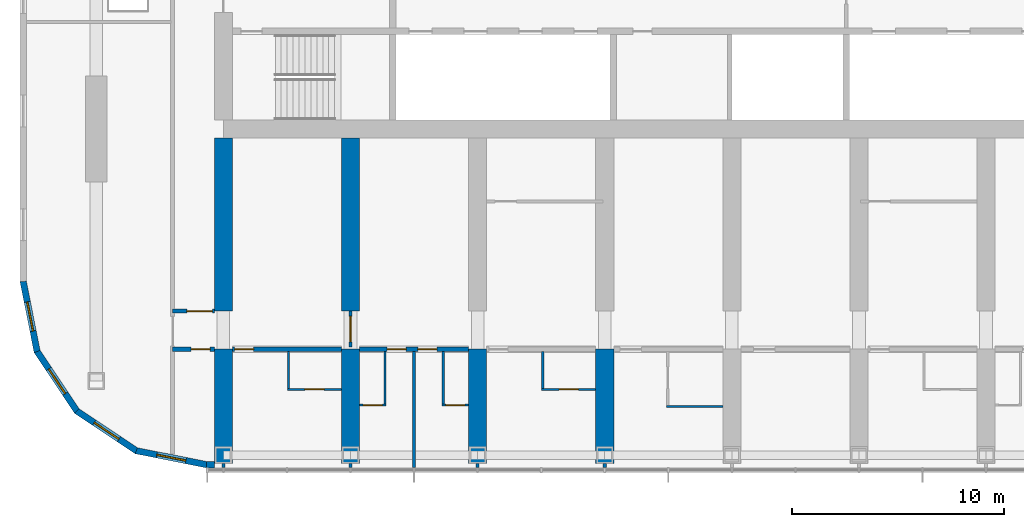
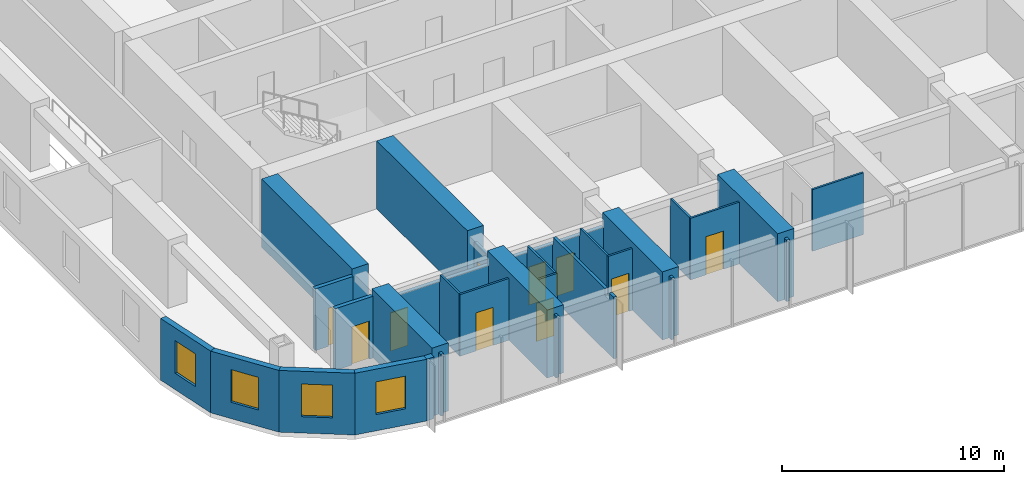
# One storey, part 10 of 22: 30 walls, 10 doors, 4 windows, 14 openings.
"""IFC4 building model written with IfcOpenShell, lengths in metres."""

from ifc_helpers import new_model, si_unit, direction, frame, frame_2d, origin, place, context, subcontext, project, spatial, polyline, rectangle, outline, extrude, material, layer, layer_set, type_object, element, fill, save


model = new_model("IFC4")

# Units and contexts
model_context = context("Model", 3, precision=1e-05, world=origin(), true_north=direction((0.0, 1.0)))
body_context = subcontext(model_context, "Body", "Model", "MODEL_VIEW")
ifc_project = project(units=[si_unit("LENGTHUNIT", "METRE"), si_unit("AREAUNIT", "SQUARE_METRE"), si_unit("VOLUMEUNIT", "CUBIC_METRE"), si_unit("PLANEANGLEUNIT", "RADIAN"), si_unit("MASSUNIT", "GRAM", prefix="KILO")], contexts=[model_context])

# Site, building, storey
site_placement = place(None, origin())
site = spatial("IfcSite", under=ifc_project, at=site_placement, CompositionType="ELEMENT")
building_placement = place(site_placement, origin())
building = spatial("IfcBuilding", under=site, at=building_placement, Name="Orbita Commons", CompositionType="ELEMENT")
storey_placement = place(building_placement, frame((0.0, 0.0, 197.35009765625)))
storey = spatial("IfcBuildingStorey", under=building, at=storey_placement, Name="L49", CompositionType="ELEMENT", Elevation=197.35009765625)

# Wall, opening, door
ifc_material_1 = material(Name="Concrete blockwork", Category="masonry")
ifc_layer_1 = layer(ifc_material_1, 0.199951171875)
ifc_layer_set_1 = layer_set([ifc_layer_1], Name="Concrete blockwork")
wall_type_1 = type_object("IfcWallType", Name="Corridor wall 200 blockwork", PredefinedType="SOLIDWALL", material=ifc_layer_set_1)
wall_1_placement = place(storey_placement, frame((15.60009765625, 15.39990234375, 0.0), z_axis=(0.0, 0.0, 1.0), x_axis=(1.0, 0.0, 0.0)))
wall_1 = element("IfcWall", 1, at=wall_1_placement, inside=storey, type_object=wall_type_1, Name="Corridor wall 200 blockwork L49", PredefinedType="SOLIDWALL", context=body_context, shape_type="SweptSolid", body=[
    extrude(rectangle(XDim=1.974853515625, YDim=0.199951171875, at=frame_2d((0.9873046875, 0.0))), origin(), (0.0, 0.0, 1.0), 3.39990234375),
])
opening_1_placement = place(wall_1_placement, frame((0.875, 0.0, 0.0)))
opening_1 = element("IfcOpeningElement", 2, at=opening_1_placement, cuts=wall_1, Name="Opening D05", PredefinedType="OPENING", context=body_context, shape_type="SweptSolid", body=[
    extrude(rectangle(XDim=0.89990234375, YDim=2.10009765625, at=frame_2d((0.449951171875, 1.050048828125))), frame((0.0, 0.10986328125, 0.0), z_axis=(0.0, -1.0, 0.0), x_axis=(1.0, 0.0, 0.0)), (0.0, 0.0, 1.0), 0.219970703125),
])
ifc_material_2 = material(Name="Steel-faced fire door leaf", Category="steel")
door_type_1 = type_object("IfcDoorType", Name="Service door 20 min 900x2100", OperationType="SINGLE_SWING_LEFT", PredefinedType="DOOR", material=ifc_material_2)
door_1_placement = place(opening_1_placement, origin())
door_1 = element("IfcDoor", 3, at=door_1_placement, inside=storey, type_object=door_type_1, Name="Linen store L49-KWS door", OperationType="SINGLE_SWING_LEFT", OverallHeight=2.10009765625, OverallWidth=0.89990234375, PredefinedType="DOOR", context=body_context, shape_type="SweptSolid", body=[
    extrude(rectangle(XDim=0.89990234375, YDim=2.10009765625, at=frame_2d((0.449951171875, 1.050048828125))), frame((0.0, 0.02490234375, 0.0), z_axis=(0.0, -1.0, 0.0), x_axis=(1.0, 0.0, 0.0)), (0.0, 0.0, 1.0), 0.050048828125),
])
fill(opening_1, door_1)

wall_2_placement = place(storey_placement, frame((18.425048828125, 15.39990234375, 0.0), z_axis=(0.0, 0.0, 1.0), x_axis=(1.0, 0.0, 0.0)))
wall_2 = element("IfcWall", 4, at=wall_2_placement, inside=storey, type_object=wall_type_1, Name="Corridor wall 200 blockwork L49", PredefinedType="SOLIDWALL", context=body_context, shape_type="SweptSolid", body=[
    extrude(outline(polyline([(0.0, 0.0), (5.14990234375, 0.0), (5.14990234375, 3.0), (0.0, 3.0), (0.0, 0.0)])), frame((0.0, 0.10009765625, 0.0), z_axis=(0.0, -1.0, 0.0), x_axis=(1.0, 0.0, 0.0)), (0.0, 0.0, 1.0), 0.199951171875),
])
opening_2_placement = place(wall_2_placement, frame((0.10009765625, 0.0, 0.0)))
opening_2 = element("IfcOpeningElement", 5, at=opening_2_placement, cuts=wall_2, Name="Opening D11", PredefinedType="OPENING", context=body_context, shape_type="SweptSolid", body=[
    extrude(rectangle(XDim=0.89990234375, YDim=2.10009765625, at=frame_2d((0.449951171875, 1.050048828125))), frame((0.0, 0.10986328125, 0.0), z_axis=(0.0, -1.0, 0.0), x_axis=(1.0, 0.0, 0.0)), (0.0, 0.0, 1.0), 0.219970703125),
])
ifc_material_3 = material(Name="Steel-faced fire door leaf", Category="steel")
door_type_2 = type_object("IfcDoorType", Name="Corridor door 20 min 900x2100", OperationType="SINGLE_SWING_LEFT", PredefinedType="DOOR", material=ifc_material_3)
door_2_placement = place(opening_2_placement, origin())
door_2 = element("IfcDoor", 6, at=door_2_placement, inside=storey, type_object=door_type_2, Name="Twin room L49-S00 door", OperationType="SINGLE_SWING_LEFT", OverallHeight=2.10009765625, OverallWidth=0.89990234375, PredefinedType="DOOR", context=body_context, shape_type="SweptSolid", body=[
    extrude(rectangle(XDim=0.89990234375, YDim=2.10009765625, at=frame_2d((0.449951171875, 1.050048828125))), frame((0.0, 0.02490234375, 0.0), z_axis=(0.0, -1.0, 0.0), x_axis=(1.0, 0.0, 0.0)), (0.0, 0.0, 1.0), 0.050048828125),
])
fill(opening_2, door_2)

# Wall, openings, doors
wall_3_placement = place(storey_placement, frame((24.425048828125, 15.39990234375, 0.0), z_axis=(0.0, 0.0, 1.0), x_axis=(1.0, 0.0, 0.0)))
wall_3 = element("IfcWall", 7, at=wall_3_placement, inside=storey, type_object=wall_type_1, Name="Corridor wall 200 blockwork L49", PredefinedType="SOLIDWALL", context=body_context, shape_type="SweptSolid", body=[
    extrude(outline(polyline([(0.0, 0.0), (5.14990234375, 0.0), (5.14990234375, 3.0), (0.0, 3.0), (0.0, 0.0)])), frame((0.0, 0.10009765625, 0.0), z_axis=(0.0, -1.0, 0.0), x_axis=(1.0, 0.0, 0.0)), (0.0, 0.0, 1.0), 0.199951171875),
])
opening_3_placement = place(wall_3_placement, frame((1.300048828125, 0.0, 0.0)))
opening_3 = element("IfcOpeningElement", 8, at=opening_3_placement, cuts=wall_3, Name="Opening D11", PredefinedType="OPENING", context=body_context, shape_type="SweptSolid", body=[
    extrude(rectangle(XDim=0.89990234375, YDim=2.10009765625, at=frame_2d((0.449951171875, 1.050048828125))), frame((0.0, 0.10986328125, 0.0), z_axis=(0.0, -1.0, 0.0), x_axis=(1.0, 0.0, 0.0)), (0.0, 0.0, 1.0), 0.219970703125),
])
opening_4_placement = place(wall_3_placement, frame((2.75, 0.0, 0.0)))
opening_4 = element("IfcOpeningElement", 9, at=opening_4_placement, cuts=wall_3, Name="Opening D11", PredefinedType="OPENING", context=body_context, shape_type="SweptSolid", body=[
    extrude(rectangle(XDim=0.89990234375, YDim=2.10009765625, at=frame_2d((0.449951171875, 1.050048828125))), frame((0.0, 0.10986328125, 0.0), z_axis=(0.0, -1.0, 0.0), x_axis=(1.0, 0.0, 0.0)), (0.0, 0.0, 1.0), 0.219970703125),
])
door_3_placement = place(opening_3_placement, origin())
door_3 = element("IfcDoor", 10, at=door_3_placement, inside=storey, type_object=door_type_2, Name="Cluster bedroom L49-S02 door", OperationType="SINGLE_SWING_LEFT", OverallHeight=2.10009765625, OverallWidth=0.89990234375, PredefinedType="DOOR", context=body_context, shape_type="SweptSolid", body=[
    extrude(rectangle(XDim=0.89990234375, YDim=2.10009765625, at=frame_2d((0.449951171875, 1.050048828125))), frame((0.0, 0.02490234375, 0.0), z_axis=(0.0, -1.0, 0.0), x_axis=(1.0, 0.0, 0.0)), (0.0, 0.0, 1.0), 0.050048828125),
])
fill(opening_3, door_3)
door_4_placement = place(opening_4_placement, origin())
door_4 = element("IfcDoor", 11, at=door_4_placement, inside=storey, type_object=door_type_2, Name="Cluster bedroom L49-S03 door", OperationType="SINGLE_SWING_LEFT", OverallHeight=2.10009765625, OverallWidth=0.89990234375, PredefinedType="DOOR", context=body_context, shape_type="SweptSolid", body=[
    extrude(rectangle(XDim=0.89990234375, YDim=2.10009765625, at=frame_2d((0.449951171875, 1.050048828125))), frame((0.0, 0.02490234375, 0.0), z_axis=(0.0, -1.0, 0.0), x_axis=(1.0, 0.0, 0.0)), (0.0, 0.0, 1.0), 0.050048828125),
])
fill(opening_4, door_4)

# Wall, opening, door
ifc_material_4 = material(Name="Hollow concrete block 200", Category="concrete")
ifc_layer_2 = layer(ifc_material_4, 0.199951171875)
ifc_layer_set_2 = layer_set([ifc_layer_2], Name="Hollow concrete block 200")
wall_type_2 = type_object("IfcWallType", Name="Corridor wall 200 hollow concrete block", PredefinedType="SOLIDWALL", material=ifc_layer_set_2)
wall_4_placement = place(storey_placement, frame((15.60009765625, 17.199951171875, 0.0), z_axis=(0.0, 0.0, 1.0), x_axis=(1.0, 0.0, 0.0)))
wall_4 = element("IfcWall", 12, at=wall_4_placement, inside=storey, type_object=wall_type_2, Name="Corridor wall 200 hollow concrete block L49", PredefinedType="SOLIDWALL", context=body_context, shape_type="SweptSolid", body=[
    extrude(rectangle(XDim=1.974853515625, YDim=0.199951171875, at=frame_2d((0.9873046875, 0.0))), origin(), (0.0, 0.0, 1.0), 3.39990234375),
])
opening_5_placement = place(wall_4_placement, frame((0.675048828125, 0.0, 0.0)))
opening_5 = element("IfcOpeningElement", 13, at=opening_5_placement, cuts=wall_4, Name="Opening D12", PredefinedType="OPENING", context=body_context, shape_type="SweptSolid", body=[
    extrude(rectangle(XDim=1.199951171875, YDim=2.10009765625, at=frame_2d((0.60009765625, 1.050048828125))), frame((0.0, 0.10986328125, 0.0), z_axis=(0.0, -1.0, 0.0), x_axis=(1.0, 0.0, 0.0)), (0.0, 0.0, 1.0), 0.219970703125),
])
ifc_material_5 = material(Name="Steel-faced fire door leaf", Category="steel")
door_type_3 = type_object("IfcDoorType", Name="Double corridor door 20 min 1200x2100", OperationType="DOUBLE_DOOR_SINGLE_SWING", PredefinedType="DOOR", material=ifc_material_5)
door_5_placement = place(opening_5_placement, origin())
door_5 = element("IfcDoor", 14, at=door_5_placement, inside=storey, type_object=door_type_3, Name="Cross corridor doors", OperationType="DOUBLE_DOOR_SINGLE_SWING", OverallHeight=2.10009765625, OverallWidth=1.199951171875, PredefinedType="DOOR", context=body_context, shape_type="SweptSolid", body=[
    extrude(rectangle(XDim=1.199951171875, YDim=2.10009765625, at=frame_2d((0.60009765625, 1.050048828125))), frame((0.0, 0.02490234375, 0.0), z_axis=(0.0, -1.0, 0.0), x_axis=(1.0, 0.0, 0.0)), (0.0, 0.0, 1.0), 0.050048828125),
])
fill(opening_5, door_5)

# Walls
ifc_material_6 = material(Name="Concrete C50/60", Category="concrete")
ifc_layer_3 = layer(ifc_material_6, 0.85009765625)
ifc_layer_set_3 = layer_set([ifc_layer_3], Name="Concrete C50/60")
wall_type_3 = type_object("IfcWallType", Name="Cross wall 850 C50/60", PredefinedType="SHEAR", material=ifc_layer_set_3)
wall_5_placement = place(storey_placement, frame((18.0, 10.0, 0.0), z_axis=(0.0, 0.0, 1.0), x_axis=(0.0, 1.0, 0.0)))
element("IfcWall", 15, at=wall_5_placement, inside=storey, type_object=wall_type_3, Name="Cross wall 4 south outer L49", PredefinedType="SHEAR", context=body_context, shape_type="SweptSolid", body=[
    extrude(rectangle(XDim=5.39990234375, YDim=0.85009765625, at=frame_2d((2.699951171875, 0.0))), origin(), (0.0, 0.0, 1.0), 3.75),
])
wall_6_placement = place(storey_placement, frame((18.0, 17.199951171875, 0.0), z_axis=(0.0, 0.0, 1.0), x_axis=(0.0, 1.0, 0.0)))
element("IfcWall", 16, at=wall_6_placement, inside=storey, type_object=wall_type_3, Name="Cross wall 4 south inner L49", PredefinedType="SHEAR", context=body_context, shape_type="SweptSolid", body=[
    extrude(rectangle(XDim=8.175048828125, YDim=0.85009765625, at=frame_2d((4.08740234375, 0.0))), origin(), (0.0, 0.0, 1.0), 3.75),
])
wall_7_placement = place(storey_placement, frame((24.0, 10.0, 0.0), z_axis=(0.0, 0.0, 1.0), x_axis=(0.0, 1.0, 0.0)))
element("IfcWall", 17, at=wall_7_placement, inside=storey, type_object=wall_type_3, Name="Cross wall 5 south outer L49", PredefinedType="SHEAR", context=body_context, shape_type="SweptSolid", body=[
    extrude(rectangle(XDim=5.39990234375, YDim=0.85009765625, at=frame_2d((2.699951171875, 0.0))), origin(), (0.0, 0.0, 1.0), 3.75),
])
wall_8_placement = place(storey_placement, frame((24.0, 17.199951171875, 0.0), z_axis=(0.0, 0.0, 1.0), x_axis=(0.0, 1.0, 0.0)))
element("IfcWall", 18, at=wall_8_placement, inside=storey, type_object=wall_type_3, Name="Cross wall 5 south inner L49", PredefinedType="SHEAR", context=body_context, shape_type="SweptSolid", body=[
    extrude(rectangle(XDim=8.175048828125, YDim=0.85009765625, at=frame_2d((4.08740234375, 0.0))), origin(), (0.0, 0.0, 1.0), 3.75),
])
for number, where, z_axis, x_axis, name in (
    (19, (30.0, 10.0, 0.0), (0.0, 0.0, 1.0), (0.0, 1.0, 0.0), "Cross wall 6 south outer L49"),
    (20, (36.0, 10.0, 0.0), (0.0, 0.0, 1.0), (0.0, 1.0, 0.0), "Cross wall 7 south outer L49"),
):
    element("IfcWall", number, at=place(storey_placement, frame(where, z_axis=z_axis, x_axis=x_axis)), inside=storey, type_object=wall_type_3, Name=name, PredefinedType="SHEAR", context=body_context, shape_type="SweptSolid", body=[
        extrude(rectangle(XDim=5.39990234375, YDim=0.85009765625, at=frame_2d((2.699951171875, 0.0))), origin(), (0.0, 0.0, 1.0), 3.75),
    ])

# Wall, opening, door
ifc_material_7 = material(Name="Moisture-resistant plasterboard on steel studs", Category="steel")
ifc_layer_4 = layer(ifc_material_7, 0.10009765625)
ifc_layer_set_4 = layer_set([ifc_layer_4], Name="Moisture-resistant plasterboard on steel studs")
wall_type_4 = type_object("IfcWallType", Name="En-suite partition 100", PredefinedType="PARTITIONING", material=ifc_layer_set_4)
wall_9_placement = place(storey_placement, frame((23.574951171875, 13.5, 0.0), z_axis=(0.0, 0.0, 1.0), x_axis=(-1.0, 0.0, 0.0)))
wall_9 = element("IfcWall", 21, at=wall_9_placement, inside=storey, type_object=wall_type_4, Name="En-suite partition 100 L49", PredefinedType="PARTITIONING", context=body_context, shape_type="SweptSolid", body=[
    extrude(rectangle(XDim=2.550048828125, YDim=0.10009765625, at=frame_2d((1.27490234375, 0.0))), origin(), (0.0, 0.0, 1.0), 3.39990234375),
])
opening_6_placement = place(wall_9_placement, frame((0.824951171875, 0.0, 0.0)))
opening_6 = element("IfcOpeningElement", 22, at=opening_6_placement, cuts=wall_9, Name="Opening D09", PredefinedType="OPENING", context=body_context, shape_type="SweptSolid", body=[
    extrude(rectangle(XDim=0.89990234375, YDim=2.10009765625, at=frame_2d((0.449951171875, 1.050048828125))), frame((0.0, 0.06005859375, 0.0), z_axis=(0.0, -1.0, 0.0), x_axis=(1.0, 0.0, 0.0)), (0.0, 0.0, 1.0), 0.1201171875),
])
ifc_material_8 = material(Name="Laminated timber door leaf", Category="wood")
door_type_4 = type_object("IfcDoorType", Name="En-suite door 900x2100", OperationType="SINGLE_SWING_RIGHT", PredefinedType="DOOR", material=ifc_material_8)
door_6_placement = place(opening_6_placement, origin())
door_6 = element("IfcDoor", 23, at=door_6_placement, inside=storey, type_object=door_type_4, Name="En-suite L49-S00 door", OperationType="SINGLE_SWING_RIGHT", OverallHeight=2.10009765625, OverallWidth=0.89990234375, PredefinedType="DOOR", context=body_context, shape_type="SweptSolid", body=[
    extrude(rectangle(XDim=0.89990234375, YDim=2.10009765625, at=frame_2d((0.449951171875, 1.050048828125))), frame((0.0, 0.02490234375, 0.0), z_axis=(0.0, -1.0, 0.0), x_axis=(1.0, 0.0, 0.0)), (0.0, 0.0, 1.0), 0.050048828125),
])
fill(opening_6, door_6)

# Wall
wall_10_placement = place(storey_placement, frame((21.074951171875, 13.550048828125, 0.0), z_axis=(0.0, 0.0, 1.0), x_axis=(0.0, 1.0, 0.0)))
element("IfcWall", 24, at=wall_10_placement, inside=storey, type_object=wall_type_4, Name="En-suite partition 100 L49", PredefinedType="PARTITIONING", context=body_context, shape_type="SweptSolid", body=[
    extrude(outline(polyline([(0.0, 0.0), (1.75, 0.0), (1.75, 3.0), (1.701904296875, 3.0), (1.699951171875, 3.39990234375), (0.0, 3.39990234375), (0.0, 0.0)])), frame((0.0, 0.050048828125, 0.0), z_axis=(0.0, -1.0, 0.0), x_axis=(1.0, 0.0, 0.0)), (0.0, 0.0, 1.0), 0.10009765625),
])

# Wall, opening, door
wall_11_placement = place(storey_placement, frame((25.675048828125, 12.75830078125, 0.0), z_axis=(0.0, 0.0, 1.0), x_axis=(-1.0, 0.0, 0.0)))
wall_11 = element("IfcWall", 25, at=wall_11_placement, inside=storey, type_object=wall_type_4, Name="En-suite partition 100 L49", PredefinedType="PARTITIONING", context=body_context, shape_type="SweptSolid", body=[
    extrude(rectangle(XDim=1.25, YDim=0.10009765625, at=frame_2d((0.625, 0.0))), origin(), (0.0, 0.0, 1.0), 3.39990234375),
])
opening_7_placement = place(wall_11_placement, frame((0.175048828125, 0.0, 0.0)))
opening_7 = element("IfcOpeningElement", 26, at=opening_7_placement, cuts=wall_11, Name="Opening D09", PredefinedType="OPENING", context=body_context, shape_type="SweptSolid", body=[
    extrude(rectangle(XDim=0.89990234375, YDim=2.10009765625, at=frame_2d((0.449951171875, 1.050048828125))), frame((0.0, 0.06005859375, 0.0), z_axis=(0.0, -1.0, 0.0), x_axis=(1.0, 0.0, 0.0)), (0.0, 0.0, 1.0), 0.1201171875),
])
door_7_placement = place(opening_7_placement, origin())
door_7 = element("IfcDoor", 27, at=door_7_placement, inside=storey, type_object=door_type_4, Name="En-suite L49-S02 door", OperationType="SINGLE_SWING_RIGHT", OverallHeight=2.10009765625, OverallWidth=0.89990234375, PredefinedType="DOOR", context=body_context, shape_type="SweptSolid", body=[
    extrude(rectangle(XDim=0.89990234375, YDim=2.10009765625, at=frame_2d((0.449951171875, 1.050048828125))), frame((0.0, 0.02490234375, 0.0), z_axis=(0.0, -1.0, 0.0), x_axis=(1.0, 0.0, 0.0)), (0.0, 0.0, 1.0), 0.050048828125),
])
fill(opening_7, door_7)

# Wall
wall_12_placement = place(storey_placement, frame((25.625, 12.808349609375, 0.0), z_axis=(0.0, 0.0, 1.0), x_axis=(0.0, 1.0, 0.0)))
element("IfcWall", 28, at=wall_12_placement, inside=storey, type_object=wall_type_4, Name="En-suite partition 100 L49", PredefinedType="PARTITIONING", context=body_context, shape_type="SweptSolid", body=[
    extrude(outline(polyline([(0.0, 0.0), (2.49169921875, 0.0), (2.49169921875, 3.0), (2.443603515625, 3.0), (2.441650390625, 3.39990234375), (0.0, 3.39990234375), (0.0, 0.0)])), frame((0.0, 0.050048828125, 0.0), z_axis=(0.0, -1.0, 0.0), x_axis=(1.0, 0.0, 0.0)), (0.0, 0.0, 1.0), 0.10009765625),
])

# Wall, opening, door
wall_13_placement = place(storey_placement, frame((29.574951171875, 12.75830078125, 0.0), z_axis=(0.0, 0.0, 1.0), x_axis=(-1.0, 0.0, 0.0)))
wall_13 = element("IfcWall", 29, at=wall_13_placement, inside=storey, type_object=wall_type_4, Name="En-suite partition 100 L49", PredefinedType="PARTITIONING", context=body_context, shape_type="SweptSolid", body=[
    extrude(rectangle(XDim=1.25, YDim=0.10009765625, at=frame_2d((0.625, 0.0))), origin(), (0.0, 0.0, 1.0), 3.39990234375),
])
opening_8_placement = place(wall_13_placement, frame((0.175048828125, 0.0, 0.0)))
opening_8 = element("IfcOpeningElement", 30, at=opening_8_placement, cuts=wall_13, Name="Opening D09", PredefinedType="OPENING", context=body_context, shape_type="SweptSolid", body=[
    extrude(rectangle(XDim=0.89990234375, YDim=2.10009765625, at=frame_2d((0.449951171875, 1.050048828125))), frame((0.0, 0.06005859375, 0.0), z_axis=(0.0, -1.0, 0.0), x_axis=(1.0, 0.0, 0.0)), (0.0, 0.0, 1.0), 0.1201171875),
])
door_8_placement = place(opening_8_placement, origin())
door_8 = element("IfcDoor", 31, at=door_8_placement, inside=storey, type_object=door_type_4, Name="En-suite L49-S03 door", OperationType="SINGLE_SWING_RIGHT", OverallHeight=2.10009765625, OverallWidth=0.89990234375, PredefinedType="DOOR", context=body_context, shape_type="SweptSolid", body=[
    extrude(rectangle(XDim=0.89990234375, YDim=2.10009765625, at=frame_2d((0.449951171875, 1.050048828125))), frame((0.0, 0.02490234375, 0.0), z_axis=(0.0, -1.0, 0.0), x_axis=(1.0, 0.0, 0.0)), (0.0, 0.0, 1.0), 0.050048828125),
])
fill(opening_8, door_8)

# Wall
wall_14_placement = place(storey_placement, frame((28.375, 12.808349609375, 0.0), z_axis=(0.0, 0.0, 1.0), x_axis=(0.0, 1.0, 0.0)))
element("IfcWall", 32, at=wall_14_placement, inside=storey, type_object=wall_type_4, Name="En-suite partition 100 L49", PredefinedType="PARTITIONING", context=body_context, shape_type="SweptSolid", body=[
    extrude(outline(polyline([(0.0, 0.0), (2.49169921875, 0.0), (2.49169921875, 3.0), (2.443603515625, 3.0), (2.441650390625, 3.39990234375), (0.0, 3.39990234375), (0.0, 0.0)])), frame((0.0, 0.050048828125, 0.0), z_axis=(0.0, -1.0, 0.0), x_axis=(1.0, 0.0, 0.0)), (0.0, 0.0, 1.0), 0.10009765625),
])

# Wall, opening, door
wall_15_placement = place(storey_placement, frame((35.574951171875, 13.5, 0.0), z_axis=(0.0, 0.0, 1.0), x_axis=(-1.0, 0.0, 0.0)))
wall_15 = element("IfcWall", 33, at=wall_15_placement, inside=storey, type_object=wall_type_4, Name="En-suite partition 100 L49", PredefinedType="PARTITIONING", context=body_context, shape_type="SweptSolid", body=[
    extrude(rectangle(XDim=2.550048828125, YDim=0.10009765625, at=frame_2d((1.27490234375, 0.0))), origin(), (0.0, 0.0, 1.0), 3.39990234375),
])
opening_9_placement = place(wall_15_placement, frame((0.824951171875, 0.0, 0.0)))
opening_9 = element("IfcOpeningElement", 34, at=opening_9_placement, cuts=wall_15, Name="Opening D09", PredefinedType="OPENING", context=body_context, shape_type="SweptSolid", body=[
    extrude(rectangle(XDim=0.89990234375, YDim=2.10009765625, at=frame_2d((0.449951171875, 1.050048828125))), frame((0.0, 0.06005859375, 0.0), z_axis=(0.0, -1.0, 0.0), x_axis=(1.0, 0.0, 0.0)), (0.0, 0.0, 1.0), 0.1201171875),
])
door_9_placement = place(opening_9_placement, origin())
door_9 = element("IfcDoor", 35, at=door_9_placement, inside=storey, type_object=door_type_4, Name="En-suite L49-S04 door", OperationType="SINGLE_SWING_RIGHT", OverallHeight=2.10009765625, OverallWidth=0.89990234375, PredefinedType="DOOR", context=body_context, shape_type="SweptSolid", body=[
    extrude(rectangle(XDim=0.89990234375, YDim=2.10009765625, at=frame_2d((0.449951171875, 1.050048828125))), frame((0.0, 0.02490234375, 0.0), z_axis=(0.0, -1.0, 0.0), x_axis=(1.0, 0.0, 0.0)), (0.0, 0.0, 1.0), 0.050048828125),
])
fill(opening_9, door_9)

# Walls
wall_16_placement = place(storey_placement, frame((33.074951171875, 13.550048828125, 0.0), z_axis=(0.0, 0.0, 1.0), x_axis=(0.0, 1.0, 0.0)))
element("IfcWall", 36, at=wall_16_placement, inside=storey, type_object=wall_type_4, Name="En-suite partition 100 L49", PredefinedType="PARTITIONING", context=body_context, shape_type="SweptSolid", body=[
    extrude(outline(polyline([(0.0, 0.0), (1.75, 0.0), (1.75, 3.0), (1.701904296875, 3.0), (1.699951171875, 3.39990234375), (0.0, 3.39990234375), (0.0, 0.0)])), frame((0.0, 0.050048828125, 0.0), z_axis=(0.0, -1.0, 0.0), x_axis=(1.0, 0.0, 0.0)), (0.0, 0.0, 1.0), 0.10009765625),
])
wall_17_placement = place(storey_placement, frame((38.925048828125, 12.699951171875, 0.0), z_axis=(0.0, 0.0, 1.0), x_axis=(1.0, 0.0, 0.0)))
element("IfcWall", 37, at=wall_17_placement, inside=storey, type_object=wall_type_4, Name="En-suite partition 100 L49", PredefinedType="PARTITIONING", context=body_context, shape_type="SweptSolid", body=[
    extrude(rectangle(XDim=2.64990234375, YDim=0.10009765625, at=frame_2d((1.324951171875, 0.0))), origin(), (0.0, 0.0, 1.0), 3.39990234375),
])

# Wall, opening, door
ifc_material_9 = material(Name="Gypsum plasterboard on steel studs", Category="steel")
ifc_layer_5 = layer(ifc_material_9, 0.14990234375)
ifc_layer_set_5 = layer_set([ifc_layer_5], Name="Gypsum plasterboard on steel studs")
wall_type_5 = type_object("IfcWallType", Name="Partition 150 plasterboard", PredefinedType="PARTITIONING", material=ifc_layer_set_5)
wall_18_placement = place(storey_placement, frame((24.0, 15.5, 0.0), z_axis=(0.0, 0.0, 1.0), x_axis=(0.0, 1.0, 0.0)))
wall_18 = element("IfcWall", 38, at=wall_18_placement, inside=storey, type_object=wall_type_5, Name="Partition 150 plasterboard L49", PredefinedType="PARTITIONING", context=body_context, shape_type="SweptSolid", body=[
    extrude(outline(polyline([(0.0, 0.0), (1.699951171875, 0.0), (1.699951171875, 3.0), (0.0, 3.0), (0.0, 0.0)])), frame((0.0, 0.074951171875, 0.0), z_axis=(0.0, -1.0, 0.0), x_axis=(1.0, 0.0, 0.0)), (0.0, 0.0, 1.0), 0.14990234375),
])
opening_10_placement = place(wall_18_placement, frame((0.25, 0.0, 0.0)))
opening_10 = element("IfcOpeningElement", 39, at=opening_10_placement, cuts=wall_18, Name="Opening D12", PredefinedType="OPENING", context=body_context, shape_type="SweptSolid", body=[
    extrude(rectangle(XDim=1.199951171875, YDim=2.10009765625, at=frame_2d((0.60009765625, 1.050048828125))), frame((0.0, 0.0849609375, 0.0), z_axis=(0.0, -1.0, 0.0), x_axis=(1.0, 0.0, 0.0)), (0.0, 0.0, 1.0), 0.169921875),
])
door_10_placement = place(opening_10_placement, origin())
door_10 = element("IfcDoor", 40, at=door_10_placement, inside=storey, type_object=door_type_3, Name="Social spine south screen doors", OperationType="DOUBLE_DOOR_SINGLE_SWING", OverallHeight=2.10009765625, OverallWidth=1.199951171875, PredefinedType="DOOR", context=body_context, shape_type="SweptSolid", body=[
    extrude(rectangle(XDim=1.199951171875, YDim=2.10009765625, at=frame_2d((0.60009765625, 1.050048828125))), frame((0.0, 0.02490234375, 0.0), z_axis=(0.0, -1.0, 0.0), x_axis=(1.0, 0.0, 0.0)), (0.0, 0.0, 1.0), 0.050048828125),
])
fill(opening_10, door_10)

# Walls
for number, where, z_axis, x_axis, name in (
    (41, (18.0, 10.0, 0.0), (0.0, 0.0, 1.0), (0.0, -1.0, 0.0), "Partition 150 plasterboard L49"),
    (42, (24.0, 10.0, 0.0), (0.0, 0.0, 1.0), (0.0, -1.0, 0.0), "Partition 150 plasterboard L49"),
    (43, (30.0, 10.0, 0.0), (0.0, 0.0, 1.0), (0.0, -1.0, 0.0), "Partition 150 plasterboard L49"),
    (44, (36.0, 10.0, 0.0), (0.0, 0.0, 1.0), (0.0, -1.0, 0.0), "Partition 150 plasterboard L49"),
):
    element("IfcWall", number, at=place(storey_placement, frame(where, z_axis=z_axis, x_axis=x_axis)), inside=storey, type_object=wall_type_5, Name=name, PredefinedType="PARTITIONING", context=body_context, shape_type="SweptSolid", body=[
        extrude(rectangle(XDim=0.18994140625, YDim=0.14990234375, at=frame_2d((0.094970703125, 0.0))), origin(), (0.0, 0.0, 1.0), 3.39990234375),
    ])
ifc_material_10 = material(Name="Gypsum plasterboard on steel studs", Category="steel")
ifc_layer_6 = layer(ifc_material_10, 0.14990234375)
ifc_layer_set_6 = layer_set([ifc_layer_6], Name="Gypsum plasterboard on steel studs")
wall_type_6 = type_object("IfcWallType", Name="Party wall 150 plasterboard", PredefinedType="PARTITIONING", material=ifc_layer_set_6)
wall_19_placement = place(storey_placement, frame((27.0, 9.81005859375, 0.0), z_axis=(0.0, 0.0, 1.0), x_axis=(0.0, 1.0, 0.0)))
element("IfcWall", 45, at=wall_19_placement, inside=storey, type_object=wall_type_6, Name="Party wall 150 plasterboard L49", PredefinedType="PARTITIONING", context=body_context, shape_type="SweptSolid", body=[
    extrude(outline(polyline([(0.0, 0.0), (5.489990234375, 0.0), (5.489990234375, 3.0), (5.44189453125, 3.0), (5.43994140625, 3.39990234375), (0.7919921875, 3.39990234375), (0.7900390625, 3.0), (0.39208984375, 3.0), (0.389892578125, 3.39990234375), (0.0, 3.39990234375), (0.0, 0.0)])), frame((0.0, 0.074951171875, 0.0), z_axis=(0.0, -1.0, 0.0), x_axis=(1.0, 0.0, 0.0)), (0.0, 0.0, 1.0), 0.14990234375),
])

# Wall, opening, window
ifc_material_11 = material(Name="Precast concrete C40/50, white board-marked finish", Category="concrete")
ifc_layer_7 = layer(ifc_material_11, 0.300048828125)
ifc_layer_set_7 = layer_set([ifc_layer_7], Name="Precast concrete C40/50, white board-marked finish")
wall_type_7 = type_object("IfcWallType", Name="Precast concrete end shield 300", PredefinedType="SOLIDWALL", material=ifc_layer_set_7)
wall_20_placement = place(storey_placement, frame((8.550048828125, 18.60009765625, 0.0), z_axis=(0.0, 0.0, 1.0), x_axis=(0.19508664885, -0.980786011034, 0.0)))
wall_20 = element("IfcWall", 46, at=wall_20_placement, inside=storey, type_object=wall_type_7, Name="End shield SW chord 1 L49", PredefinedType="SOLIDWALL", context=body_context, shape_type="SweptSolid", body=[
    extrude(outline(polyline([(-0.014892578125, -0.14990234375), (3.405029296875, -0.14990234375), (3.345458984375, 0.14990234375), (0.014892578125, 0.14990234375), (-0.014892578125, -0.14990234375)])), origin(), (0.0, 0.0, 1.0), 3.39990234375),
])
opening_11_placement = place(wall_20_placement, frame((0.987548828125, 0.0, 0.89990234375)))
opening_11 = element("IfcOpeningElement", 47, at=opening_11_placement, cuts=wall_20, Name="Opening W02", PredefinedType="OPENING", context=body_context, shape_type="SweptSolid", body=[
    extrude(rectangle(XDim=1.39990234375, YDim=1.800048828125, at=frame_2d((0.699951171875, 0.89990234375))), frame((0.0, 0.159912109375, 0.0), z_axis=(0.0, -1.0, 0.0), x_axis=(1.0, 0.0, 0.0)), (0.0, 0.0, 1.0), 0.320068359375),
])
ifc_material_12 = material(Name="Aluminium frame, clear double glazing", Category="aluminium")
window_type = type_object("IfcWindowType", Name="Deep-set window 1400x1800", PartitioningType="SINGLE_PANEL", PredefinedType="WINDOW", material=ifc_material_12)
window_1_placement = place(opening_11_placement, origin())
window_1 = element("IfcWindow", 48, at=window_1_placement, inside=storey, type_object=window_type, Name="Window L49-SW0", OverallHeight=1.800048828125, OverallWidth=1.39990234375, PartitioningType="SINGLE_PANEL", PredefinedType="WINDOW", context=body_context, shape_type="SweptSolid", body=[
    extrude(rectangle(XDim=1.39990234375, YDim=1.800048828125, at=frame_2d((0.699951171875, 0.89990234375))), frame((0.0, 0.030029296875, 0.0), z_axis=(0.0, -1.0, 0.0), x_axis=(1.0, 0.0, 0.0)), (0.0, 0.0, 1.0), 0.06005859375),
])
fill(opening_11, window_1)

wall_21_placement = place(storey_placement, frame((9.20849609375, 15.289794921875, 0.0), z_axis=(0.0, 0.0, 1.0), x_axis=(0.555534554399, -0.831493450887, 0.0)))
wall_21 = element("IfcWall", 49, at=wall_21_placement, inside=storey, type_object=wall_type_7, Name="End shield SW chord 2 L49", PredefinedType="SOLIDWALL", context=body_context, shape_type="SweptSolid", body=[
    extrude(outline(polyline([(-0.02978515625, -0.14990234375), (3.405029296875, -0.14990234375), (3.345458984375, 0.14990234375), (0.02978515625, 0.14990234375), (-0.02978515625, -0.14990234375)])), origin(), (0.0, 0.0, 1.0), 3.39990234375),
])
opening_12_placement = place(wall_21_placement, frame((0.987548828125, 0.0, 0.89990234375)))
opening_12 = element("IfcOpeningElement", 50, at=opening_12_placement, cuts=wall_21, Name="Opening W02", PredefinedType="OPENING", context=body_context, shape_type="SweptSolid", body=[
    extrude(rectangle(XDim=1.39990234375, YDim=1.800048828125, at=frame_2d((0.699951171875, 0.89990234375))), frame((0.0, 0.159912109375, 0.0), z_axis=(0.0, -1.0, 0.0), x_axis=(1.0, 0.0, 0.0)), (0.0, 0.0, 1.0), 0.320068359375),
])
window_2_placement = place(opening_12_placement, origin())
window_2 = element("IfcWindow", 51, at=window_2_placement, inside=storey, type_object=window_type, Name="Window L49-SW1", OverallHeight=1.800048828125, OverallWidth=1.39990234375, PartitioningType="SINGLE_PANEL", PredefinedType="WINDOW", context=body_context, shape_type="SweptSolid", body=[
    extrude(rectangle(XDim=1.39990234375, YDim=1.800048828125, at=frame_2d((0.699951171875, 0.89990234375))), frame((0.0, 0.030029296875, 0.0), z_axis=(0.0, -1.0, 0.0), x_axis=(1.0, 0.0, 0.0)), (0.0, 0.0, 1.0), 0.06005859375),
])
fill(opening_12, window_2)

wall_22_placement = place(storey_placement, frame((11.08349609375, 12.4833984375, 0.0), z_axis=(0.0, 0.0, 1.0), x_axis=(0.831493450887, -0.555534554399, 0.0)))
wall_22 = element("IfcWall", 52, at=wall_22_placement, inside=storey, type_object=wall_type_7, Name="End shield SW chord 3 L49", PredefinedType="SOLIDWALL", context=body_context, shape_type="SweptSolid", body=[
    extrude(outline(polyline([(-0.02978515625, -0.14990234375), (3.405029296875, -0.14990234375), (3.345458984375, 0.14990234375), (0.02978515625, 0.14990234375), (-0.02978515625, -0.14990234375)])), origin(), (0.0, 0.0, 1.0), 3.39990234375),
])
opening_13_placement = place(wall_22_placement, frame((0.987548828125, 0.0, 0.89990234375)))
opening_13 = element("IfcOpeningElement", 53, at=opening_13_placement, cuts=wall_22, Name="Opening W02", PredefinedType="OPENING", context=body_context, shape_type="SweptSolid", body=[
    extrude(rectangle(XDim=1.39990234375, YDim=1.800048828125, at=frame_2d((0.699951171875, 0.89990234375))), frame((0.0, 0.159912109375, 0.0), z_axis=(0.0, -1.0, 0.0), x_axis=(1.0, 0.0, 0.0)), (0.0, 0.0, 1.0), 0.320068359375),
])
window_3_placement = place(opening_13_placement, origin())
window_3 = element("IfcWindow", 54, at=window_3_placement, inside=storey, type_object=window_type, Name="Window L49-SW2", OverallHeight=1.800048828125, OverallWidth=1.39990234375, PartitioningType="SINGLE_PANEL", PredefinedType="WINDOW", context=body_context, shape_type="SweptSolid", body=[
    extrude(rectangle(XDim=1.39990234375, YDim=1.800048828125, at=frame_2d((0.699951171875, 0.89990234375))), frame((0.0, 0.030029296875, 0.0), z_axis=(0.0, -1.0, 0.0), x_axis=(1.0, 0.0, 0.0)), (0.0, 0.0, 1.0), 0.06005859375),
])
fill(opening_13, window_3)

wall_23_placement = place(storey_placement, frame((13.889892578125, 10.6083984375, 0.0), z_axis=(0.0, 0.0, 1.0), x_axis=(0.98078325777, -0.195100490205, 0.0)))
wall_23 = element("IfcWall", 55, at=wall_23_placement, inside=storey, type_object=wall_type_7, Name="End shield SW chord 4 L49", PredefinedType="SOLIDWALL", context=body_context, shape_type="SweptSolid", body=[
    extrude(outline(polyline([(-0.02978515625, -0.14990234375), (3.40478515625, -0.14990234375), (3.34521484375, 0.14990234375), (0.02978515625, 0.14990234375), (-0.02978515625, -0.14990234375)])), origin(), (0.0, 0.0, 1.0), 3.39990234375),
])
opening_14_placement = place(wall_23_placement, frame((0.987548828125, 0.0, 0.89990234375)))
opening_14 = element("IfcOpeningElement", 56, at=opening_14_placement, cuts=wall_23, Name="Opening W02", PredefinedType="OPENING", context=body_context, shape_type="SweptSolid", body=[
    extrude(rectangle(XDim=1.39990234375, YDim=1.800048828125, at=frame_2d((0.699951171875, 0.89990234375))), frame((0.0, 0.159912109375, 0.0), z_axis=(0.0, -1.0, 0.0), x_axis=(1.0, 0.0, 0.0)), (0.0, 0.0, 1.0), 0.320068359375),
])
window_4_placement = place(opening_14_placement, origin())
window_4 = element("IfcWindow", 57, at=window_4_placement, inside=storey, type_object=window_type, Name="Window L49-SW3", OverallHeight=1.800048828125, OverallWidth=1.39990234375, PartitioningType="SINGLE_PANEL", PredefinedType="WINDOW", context=body_context, shape_type="SweptSolid", body=[
    extrude(rectangle(XDim=1.39990234375, YDim=1.800048828125, at=frame_2d((0.699951171875, 0.89990234375))), frame((0.0, 0.030029296875, 0.0), z_axis=(0.0, -1.0, 0.0), x_axis=(1.0, 0.0, 0.0)), (0.0, 0.0, 1.0), 0.06005859375),
])
fill(opening_14, window_4)

# Wall
wall_24_placement = place(storey_placement, frame((17.199951171875, 9.949951171875, 0.0), z_axis=(0.0, 0.0, 1.0), x_axis=(1.0, 0.0, 0.0)))
element("IfcWall", 58, at=wall_24_placement, inside=storey, type_object=wall_type_7, Name="End shield SW closer L49", PredefinedType="SOLIDWALL", context=body_context, shape_type="SweptSolid", body=[
    extrude(rectangle(XDim=0.375, YDim=0.300048828125, at=frame_2d((0.1875, 0.0))), origin(), (0.0, 0.0, 1.0), 3.39990234375),
])

save(model, "model.ifc")
